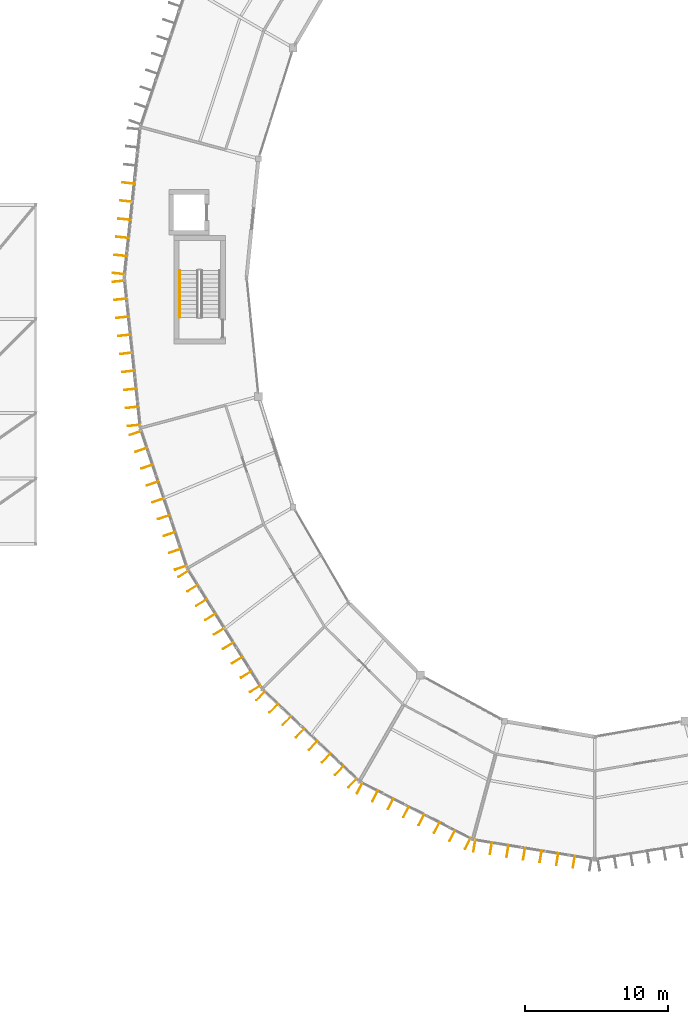
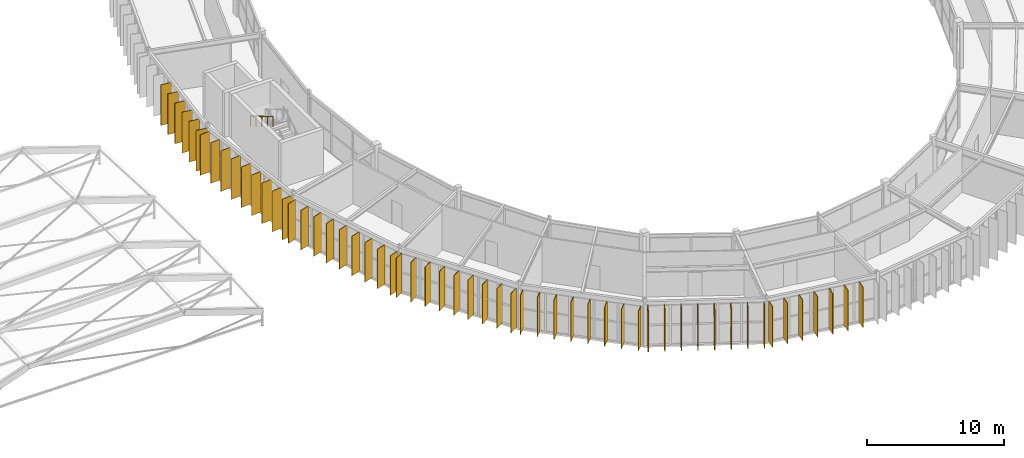
# One storey, part 125 of 134: 56 shading devices, 1 railing.
"""IFC4 building model written with IfcOpenShell, lengths in metres."""

from ifc_helpers import new_model, si_unit, direction, frame, origin, origin_2d, place, context, subcontext, project, spatial, rectangle, circle, extrude, material, layer, layer_set, type_object, element, save


model = new_model("IFC4")

# Units and contexts
model_context = context("Model", 3, precision=1e-05, world=origin(), true_north=direction((0.0, 1.0)))
body_context = subcontext(model_context, "Body", "Model", "MODEL_VIEW")
ifc_project = project(units=[si_unit("LENGTHUNIT", "METRE"), si_unit("AREAUNIT", "SQUARE_METRE"), si_unit("VOLUMEUNIT", "CUBIC_METRE"), si_unit("PLANEANGLEUNIT", "RADIAN"), si_unit("MASSUNIT", "GRAM", prefix="KILO")], contexts=[model_context])

# Site, building, storey
site_placement = place(None, origin())
site = spatial("IfcSite", under=ifc_project, at=site_placement, CompositionType="ELEMENT")
building_placement = place(site_placement, origin())
building = spatial("IfcBuilding", under=site, at=building_placement, Name="Karori Crest Natural Sciences Institute", CompositionType="ELEMENT")
storey_placement = place(building_placement, frame((0.0, 0.0, 21.699951171875)))
storey = spatial("IfcBuildingStorey", under=building, at=storey_placement, Name="L05", CompositionType="ELEMENT", Elevation=21.699951171875)

# Railing
ifc_material_1 = material(Name="Stainless steel 316 tubular handrail", Category="steel")
railing_type = type_object("IfcRailingType", Name="RLT-HND", PredefinedType="HANDRAIL", material=ifc_material_1)
railing_placement = place(storey_placement, frame((37.300048828125, 50.39990234375, 2.275146484375)))
element("IfcRailing", 1, at=railing_placement, inside=storey, type_object=railing_type, Name="Stair handrail RL-0091", PredefinedType="HANDRAIL", context=body_context, shape_type="SweptSolid", body=[
    extrude(circle(Radius=0.02392578125, at=origin_2d()), frame((0.0, 0.0, 0.90087890625), z_axis=(0.0, -0.863788172461, 0.503855131081), x_axis=(1.0, 0.0, 0.0)), (0.0, 0.0, 1.0), 3.820068359375),
    extrude(circle(Radius=0.02099609375, at=origin_2d()), origin(), (0.0, 0.0, 1.0), 0.876953125),
    extrude(circle(Radius=0.02099609375, at=origin_2d()), frame((0.0, -0.824951171875, 0.481201171875)), (0.0, 0.0, 1.0), 0.876953125),
    extrude(circle(Radius=0.02099609375, at=origin_2d()), frame((0.0, -1.64990234375, 0.96240234375)), (0.0, 0.0, 1.0), 0.876953125),
    extrude(circle(Radius=0.02099609375, at=origin_2d()), frame((0.0, -2.474853515625, 1.443603515625)), (0.0, 0.0, 1.0), 0.876953125),
    extrude(circle(Radius=0.02099609375, at=origin_2d()), frame((0.0, -3.2998046875, 1.9248046875)), (0.0, 0.0, 1.0), 0.876953125),
])

# Shading devices
ifc_material_2 = material(Name="Anodised architectural aluminium 6063-T6", Category="aluminium")
ifc_layer = layer(ifc_material_2, 0.044921875, Name="Anodised architectural aluminium 6063-T6")
ifc_layer_set = layer_set([ifc_layer], Name="Anodised architectural aluminium 6063-T6")
shading_device_type = type_object("IfcShadingDeviceType", Name="SDT-FIN", PredefinedType="USERDEFINED", material=ifc_layer_set)
for number, where, z_axis, x_axis, name in (
    (2, (33.0166015625, 50.1708984375, 0.0), (0.0, 0.0, 1.0), (-0.994378303702, 0.105885736186, 0.0), "Vertical solar fin FN-0910"),
    (3, (33.151611328125, 51.440185546875, 0.0), (0.0, 0.0, 1.0), (-0.994378303702, 0.105885736186, 0.0), "Vertical solar fin FN-0911"),
    (4, (33.286865234375, 52.709228515625, 0.0), (0.0, 0.0, 1.0), (-0.994378303702, 0.105885736186, 0.0), "Vertical solar fin FN-0912"),
    (5, (33.422119140625, 53.978515625, 0.0), (0.0, 0.0, 1.0), (-0.994378303702, 0.105885736186, 0.0), "Vertical solar fin FN-0913"),
    (6, (33.55712890625, 55.247802734375, 0.0), (0.0, 0.0, 1.0), (-0.994378303702, 0.105885736186, 0.0), "Vertical solar fin FN-0914"),
    (7, (33.6923828125, 56.51708984375, 0.0), (0.0, 0.0, 1.0), (-0.994378303702, 0.105885736186, 0.0), "Vertical solar fin FN-0915"),
    (8, (34.0927734375, 39.521240234375, 0.0), (0.0, 0.0, 1.0), (-0.994378488506, -0.105884000668, 0.0), "Vertical solar fin FN-0919"),
    (9, (33.958251953125, 40.78466796875, 0.0), (0.0, 0.0, 1.0), (-0.994378488506, -0.105884000668, 0.0), "Vertical solar fin FN-0920"),
    (10, (33.82373046875, 42.048095703125, 0.0), (0.0, 0.0, 1.0), (-0.994378488506, -0.105884000668, 0.0), "Vertical solar fin FN-0921"),
    (11, (33.689208984375, 43.311767578125, 0.0), (0.0, 0.0, 1.0), (-0.994378488506, -0.105884000668, 0.0), "Vertical solar fin FN-0922"),
    (12, (33.5546875, 44.5751953125, 0.0), (0.0, 0.0, 1.0), (-0.994378488506, -0.105884000668, 0.0), "Vertical solar fin FN-0923"),
    (13, (33.420166015625, 45.838623046875, 0.0), (0.0, 0.0, 1.0), (-0.994378488506, -0.105884000668, 0.0), "Vertical solar fin FN-0924"),
    (14, (33.28564453125, 47.102294921875, 0.0), (0.0, 0.0, 1.0), (-0.994378488506, -0.105884000668, 0.0), "Vertical solar fin FN-0925"),
    (15, (33.15087890625, 48.36572265625, 0.0), (0.0, 0.0, 1.0), (-0.994378488506, -0.105884000668, 0.0), "Vertical solar fin FN-0926"),
    (16, (33.0166015625, 49.629150390625, 0.0), (0.0, 0.0, 1.0), (-0.994378488506, -0.105884000668, 0.0), "Vertical solar fin FN-0927"),
):
    element("IfcShadingDevice", number, at=place(storey_placement, frame(where, z_axis=z_axis, x_axis=x_axis)), inside=storey, type_object=shading_device_type, Name=name, ObjectType="SOLAR_FIN", PredefinedType="USERDEFINED", context=body_context, shape_type="SweptSolid", body=[
        extrude(rectangle(XDim=0.85009765625, YDim=0.044921875, at=origin_2d()), origin(), (0.0, 0.0, 1.0), 3.625),
    ])
for number, where, z_axis, x_axis, name in (
    (17, (37.374267578125, 29.543701171875, 0.0), (0.0, 0.0, 1.0), (-0.948197867933, -0.317680347595, 0.0), "Vertical solar fin FN-0928"),
    (18, (36.978515625, 30.724609375, 0.0), (0.0, 0.0, 1.0), (-0.948197867933, -0.317680347595, 0.0), "Vertical solar fin FN-0929"),
    (19, (36.5830078125, 31.9052734375, 0.0), (0.0, 0.0, 1.0), (-0.948197867933, -0.317680347595, 0.0), "Vertical solar fin FN-0930"),
    (20, (36.187255859375, 33.086181640625, 0.0), (0.0, 0.0, 1.0), (-0.948197867933, -0.317680347595, 0.0), "Vertical solar fin FN-0931"),
    (21, (35.791748046875, 34.266845703125, 0.0), (0.0, 0.0, 1.0), (-0.948197867933, -0.317680347595, 0.0), "Vertical solar fin FN-0932"),
    (22, (35.39599609375, 35.447509765625, 0.0), (0.0, 0.0, 1.0), (-0.948197867933, -0.317680347595, 0.0), "Vertical solar fin FN-0933"),
    (23, (35.00048828125, 36.62841796875, 0.0), (0.0, 0.0, 1.0), (-0.948197867933, -0.317680347595, 0.0), "Vertical solar fin FN-0934"),
    (24, (34.60498046875, 37.80908203125, 0.0), (0.0, 0.0, 1.0), (-0.948197867933, -0.317680347595, 0.0), "Vertical solar fin FN-0935"),
    (25, (34.209228515625, 38.989990234375, 0.0), (0.0, 0.0, 1.0), (-0.948197867933, -0.317680347595, 0.0), "Vertical solar fin FN-0936"),
    (26, (42.584716796875, 21.047119140625, 0.0), (0.0, 0.0, 1.0), (-0.849661763889, -0.527328063907, 0.0), "Vertical solar fin FN-0937"),
    (27, (41.95849609375, 22.05615234375, 0.0), (0.0, 0.0, 1.0), (-0.849661763889, -0.527328063907, 0.0), "Vertical solar fin FN-0938"),
    (28, (41.332275390625, 23.065185546875, 0.0), (0.0, 0.0, 1.0), (-0.849661763889, -0.527328063907, 0.0), "Vertical solar fin FN-0939"),
    (29, (40.7060546875, 24.07421875, 0.0), (0.0, 0.0, 1.0), (-0.849661763889, -0.527328063907, 0.0), "Vertical solar fin FN-0940"),
    (30, (40.079833984375, 25.083251953125, 0.0), (0.0, 0.0, 1.0), (-0.849661763889, -0.527328063907, 0.0), "Vertical solar fin FN-0941"),
    (31, (39.45361328125, 26.09228515625, 0.0), (0.0, 0.0, 1.0), (-0.849661763889, -0.527328063907, 0.0), "Vertical solar fin FN-0942"),
    (32, (38.827392578125, 27.101318359375, 0.0), (0.0, 0.0, 1.0), (-0.849661763889, -0.527328063907, 0.0), "Vertical solar fin FN-0943"),
    (33, (38.200927734375, 28.110595703125, 0.0), (0.0, 0.0, 1.0), (-0.849661763889, -0.527328063907, 0.0), "Vertical solar fin FN-0944"),
    (34, (37.57470703125, 29.119384765625, 0.0), (0.0, 0.0, 1.0), (-0.849661763889, -0.527328063907, 0.0), "Vertical solar fin FN-0945"),
    (35, (49.419677734375, 14.456787109375, 0.0), (0.0, 0.0, 1.0), (-0.68825202143, -0.725471677599, 0.0), "Vertical solar fin FN-0946"),
    (36, (48.5, 15.3291015625, 0.0), (0.0, 0.0, 1.0), (-0.68825202143, -0.725471677599, 0.0), "Vertical solar fin FN-0947"),
    (37, (47.580322265625, 16.20166015625, 0.0), (0.0, 0.0, 1.0), (-0.68825202143, -0.725471677599, 0.0), "Vertical solar fin FN-0948"),
    (38, (46.660888671875, 17.073974609375, 0.0), (0.0, 0.0, 1.0), (-0.68825202143, -0.725471677599, 0.0), "Vertical solar fin FN-0949"),
    (39, (45.7412109375, 17.9462890625, 0.0), (0.0, 0.0, 1.0), (-0.68825202143, -0.725471677599, 0.0), "Vertical solar fin FN-0950"),
    (40, (44.821533203125, 18.81884765625, 0.0), (0.0, 0.0, 1.0), (-0.68825202143, -0.725471677599, 0.0), "Vertical solar fin FN-0951"),
    (41, (43.902099609375, 19.69140625, 0.0), (0.0, 0.0, 1.0), (-0.68825202143, -0.725471677599, 0.0), "Vertical solar fin FN-0952"),
    (42, (42.982421875, 20.563720703125, 0.0), (0.0, 0.0, 1.0), (-0.68825202143, -0.725471677599, 0.0), "Vertical solar fin FN-0953"),
):
    element("IfcShadingDevice", number, at=place(storey_placement, frame(where, z_axis=z_axis, x_axis=x_axis)), inside=storey, type_object=shading_device_type, Name=name, ObjectType="SOLAR_FIN", PredefinedType="USERDEFINED", context=body_context, shape_type="SweptSolid", body=[
        extrude(rectangle(XDim=0.85009765625, YDim=0.044921875, at=origin_2d()), origin(), (0.0, 0.0, 1.0), 3.52490234375),
    ])
for number, where, z_axis, x_axis, name in (
    (43, (57.5078125, 10.20947265625, 0.0), (0.0, 0.0, 1.0), (-0.455829213737, -0.890067260326, 0.0), "Vertical solar fin FN-0954"),
    (44, (56.425048828125, 10.763916015625, 0.0), (0.0, 0.0, 1.0), (-0.455829213737, -0.890067260326, 0.0), "Vertical solar fin FN-0955"),
    (45, (55.342041015625, 11.318603515625, 0.0), (0.0, 0.0, 1.0), (-0.455829213737, -0.890067260326, 0.0), "Vertical solar fin FN-0956"),
    (46, (54.259033203125, 11.873291015625, 0.0), (0.0, 0.0, 1.0), (-0.455829213737, -0.890067260326, 0.0), "Vertical solar fin FN-0957"),
    (47, (53.176025390625, 12.427734375, 0.0), (0.0, 0.0, 1.0), (-0.455829213737, -0.890067260326, 0.0), "Vertical solar fin FN-0958"),
    (48, (52.09326171875, 12.982421875, 0.0), (0.0, 0.0, 1.0), (-0.455829213737, -0.890067260326, 0.0), "Vertical solar fin FN-0959"),
    (49, (51.01025390625, 13.537109375, 0.0), (0.0, 0.0, 1.0), (-0.455829213737, -0.890067260326, 0.0), "Vertical solar fin FN-0960"),
    (50, (49.92724609375, 14.091552734375, 0.0), (0.0, 0.0, 1.0), (-0.455829213737, -0.890067260326, 0.0), "Vertical solar fin FN-0961"),
    (51, (64.9462890625, 8.921142578125, 0.0), (0.0, 0.0, 1.0), (-0.160654710652, -0.987010670634, 0.0), "Vertical solar fin FN-0963"),
    (52, (63.782958984375, 9.110595703125, 0.0), (0.0, 0.0, 1.0), (-0.160654710652, -0.987010670634, 0.0), "Vertical solar fin FN-0964"),
    (53, (62.61962890625, 9.2998046875, 0.0), (0.0, 0.0, 1.0), (-0.160654710652, -0.987010670634, 0.0), "Vertical solar fin FN-0965"),
    (54, (61.45654296875, 9.4892578125, 0.0), (0.0, 0.0, 1.0), (-0.160654710652, -0.987010670634, 0.0), "Vertical solar fin FN-0966"),
    (55, (60.293212890625, 9.6787109375, 0.0), (0.0, 0.0, 1.0), (-0.160654710652, -0.987010670634, 0.0), "Vertical solar fin FN-0967"),
    (56, (59.130126953125, 9.867919921875, 0.0), (0.0, 0.0, 1.0), (-0.160654710652, -0.987010670634, 0.0), "Vertical solar fin FN-0968"),
    (57, (57.966796875, 10.057373046875, 0.0), (0.0, 0.0, 1.0), (-0.160654710652, -0.987010670634, 0.0), "Vertical solar fin FN-0969"),
):
    element("IfcShadingDevice", number, at=place(storey_placement, frame(where, z_axis=z_axis, x_axis=x_axis)), inside=storey, type_object=shading_device_type, Name=name, ObjectType="SOLAR_FIN", PredefinedType="USERDEFINED", context=body_context, shape_type="SweptSolid", body=[
        extrude(rectangle(XDim=0.85009765625, YDim=0.044921875, at=origin_2d()), origin(), (0.0, 0.0, 1.0), 3.625),
    ])

save(model, "model.ifc")
